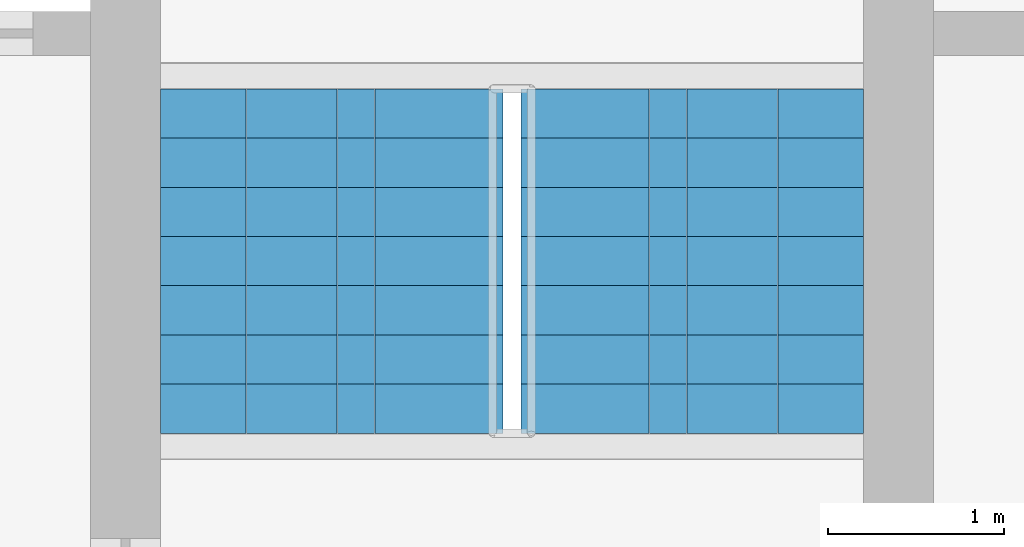
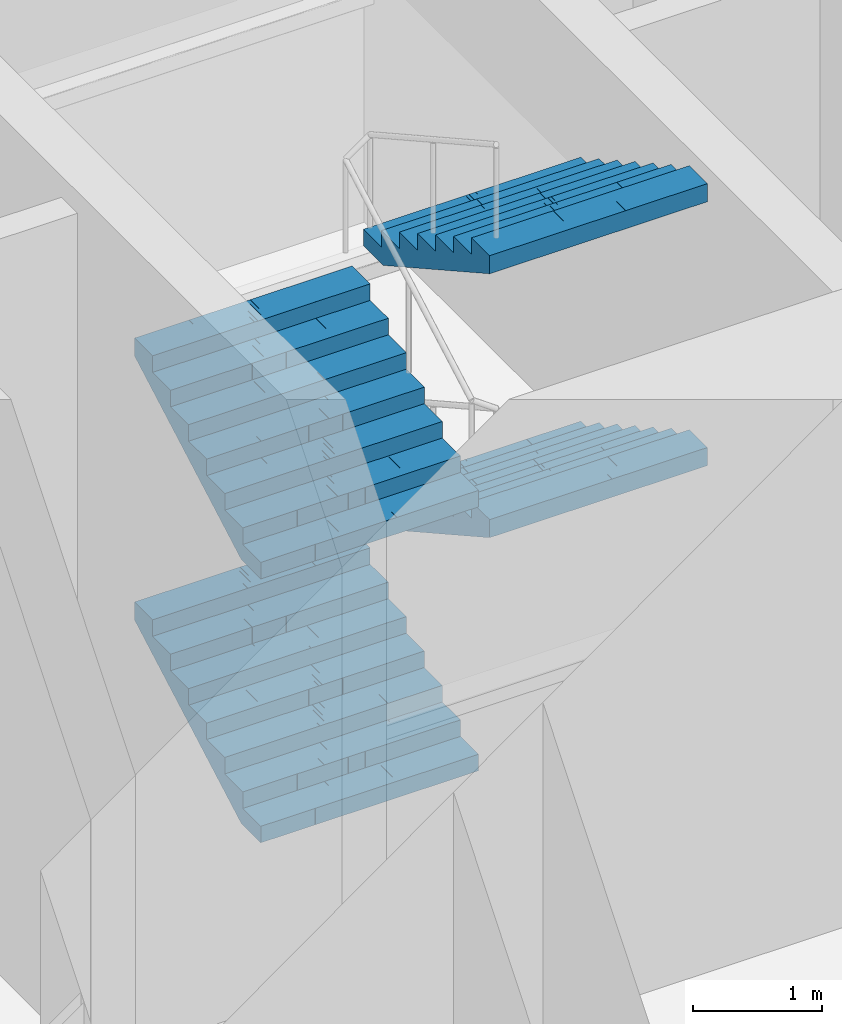
# One storey, part 11 of 20: 4 stair flights, 1 element without a shape of its own.
"""IFC4 building model written with IfcOpenShell, lengths in metres."""

from ifc_helpers import new_model, si_unit, direction, frame, origin, place, context, subcontext, project, spatial, polyline, outline, extrude, material, type_object, element, aggregate, save


model = new_model("IFC4")

# Units and contexts
model_context = context("Model", 3, precision=1e-05, world=origin(), true_north=direction((0.0, 1.0)))
body_context = subcontext(model_context, "Body", "Model", "MODEL_VIEW")
ifc_project = project(units=[si_unit("LENGTHUNIT", "METRE"), si_unit("AREAUNIT", "SQUARE_METRE"), si_unit("VOLUMEUNIT", "CUBIC_METRE"), si_unit("PLANEANGLEUNIT", "RADIAN"), si_unit("MASSUNIT", "GRAM", prefix="KILO")], contexts=[model_context])

# Site, building, storey
site_placement = place(None, origin())
site = spatial("IfcSite", under=ifc_project, at=site_placement, CompositionType="ELEMENT")
building_placement = place(site_placement, origin())
building = spatial("IfcBuilding", under=site, at=building_placement, Name="Mizan Broadcast Tower", CompositionType="ELEMENT")
storey_placement = place(building_placement, frame((0.0, 0.0, -5.0)))
storey = spatial("IfcBuildingStorey", under=building, at=storey_placement, Name="B1", CompositionType="ELEMENT", Elevation=-5.0)

# Stair, stair flights
ifc_material_1 = material(Name="Concrete C40/50", Category="concrete")
stair_type = type_object("IfcStairType", Name="EXIT STAIR", PredefinedType="HALF_TURN_STAIR", material=ifc_material_1)
stair_placement = place(storey_placement, origin())
stair = element("IfcStair", 1, at=stair_placement, inside=storey, type_object=stair_type, Name="Stair A B1", PredefinedType="HALF_TURN_STAIR")
ifc_material_2 = material(Name="Concrete C40/50", Category="concrete")
stair_flight_type = type_object("IfcStairFlightType", Name="EXIT STAIR FLIGHT", PredefinedType="STRAIGHT", material=ifc_material_2)
stair_flight_1_placement = place(storey_placement, frame((-1.02490234375, -7.89990234375, 0.0), z_axis=(0.0, 0.0, 1.0), x_axis=(0.0, 1.0, 0.0)))
stair_flight_1 = element("IfcStairFlight", 2, at=stair_flight_1_placement, type_object=stair_flight_type, Name="A flight 1", NumberOfRisers=8, NumberOfTreads=7, PredefinedType="STRAIGHT", RiserHeight=0.15625, TreadLength=0.28, context=body_context, shape_type="SweptSolid", body=[
    extrude(outline(polyline([(0.0, 0.0), (0.0, 0.15625), (0.280029296875, 0.15625), (0.280029296875, 0.3125), (0.56005859375, 0.3125), (0.56005859375, 0.46875), (0.840087890625, 0.46875), (0.840087890625, 0.625), (1.1201171875, 0.625), (1.1201171875, 0.78125), (1.39990234375, 0.78125), (1.39990234375, 0.9375), (1.679931640625, 0.9375), (1.679931640625, 1.09375), (1.9599609375, 1.09375), (1.9599609375, 1.25), (1.9599609375, 0.922119140625), (0.3076171875, 0.0), (0.0, 0.0)])), frame((0.0, 0.97509765625, 0.0), z_axis=(0.0, -1.0, 0.0), x_axis=(1.0, 0.0, 0.0)), (0.0, 0.0, 1.0), 0.4873046875),
    extrude(outline(polyline([(0.0, 0.0), (0.0, 0.15625), (0.280029296875, 0.15625), (0.280029296875, 0.3125), (0.56005859375, 0.3125), (0.56005859375, 0.46875), (0.840087890625, 0.46875), (0.840087890625, 0.625), (1.1201171875, 0.625), (1.1201171875, 0.78125), (1.39990234375, 0.78125), (1.39990234375, 0.9375), (1.679931640625, 0.9375), (1.679931640625, 1.09375), (1.9599609375, 1.09375), (1.9599609375, 1.25), (1.9599609375, 0.922119140625), (0.3076171875, 0.0), (0.0, 0.0)])), frame((0.0, 0.4873046875, 0.0), z_axis=(0.0, -1.0, 0.0), x_axis=(1.0, 0.0, 0.0)), (0.0, 0.0, 1.0), 0.2431640625),
    extrude(outline(polyline([(0.0, 0.0), (0.0, 0.15625), (0.280029296875, 0.15625), (0.280029296875, 0.3125), (0.56005859375, 0.3125), (0.56005859375, 0.46875), (0.840087890625, 0.46875), (0.840087890625, 0.625), (1.1201171875, 0.625), (1.1201171875, 0.78125), (1.39990234375, 0.78125), (1.39990234375, 0.9375), (1.679931640625, 0.9375), (1.679931640625, 1.09375), (1.9599609375, 1.09375), (1.9599609375, 1.25), (1.9599609375, 0.922119140625), (0.3076171875, 0.0), (0.0, 0.0)])), frame((0.0, 0.24365234375, 0.0), z_axis=(0.0, -1.0, 0.0), x_axis=(1.0, 0.0, 0.0)), (0.0, 0.0, 1.0), 0.121337890625),
    extrude(outline(polyline([(0.0, 0.0), (0.0, 0.15625), (0.280029296875, 0.15625), (0.280029296875, 0.3125), (0.56005859375, 0.3125), (0.56005859375, 0.46875), (0.840087890625, 0.46875), (0.840087890625, 0.625), (1.1201171875, 0.625), (1.1201171875, 0.78125), (1.39990234375, 0.78125), (1.39990234375, 0.9375), (1.679931640625, 0.9375), (1.679931640625, 1.09375), (1.9599609375, 1.09375), (1.9599609375, 1.25), (1.9599609375, 0.922119140625), (0.3076171875, 0.0), (0.0, 0.0)])), frame((0.0, 0.121826171875, 0.0), z_axis=(0.0, -1.0, 0.0), x_axis=(1.0, 0.0, 0.0)), (0.0, 0.0, 1.0), 0.060546875),
    extrude(outline(polyline([(0.0, 0.0), (0.0, 0.15625), (0.280029296875, 0.15625), (0.280029296875, 0.3125), (0.56005859375, 0.3125), (0.56005859375, 0.46875), (0.840087890625, 0.46875), (0.840087890625, 0.625), (1.1201171875, 0.625), (1.1201171875, 0.78125), (1.39990234375, 0.78125), (1.39990234375, 0.9375), (1.679931640625, 0.9375), (1.679931640625, 1.09375), (1.9599609375, 1.09375), (1.9599609375, 1.25), (1.9599609375, 0.922119140625), (0.3076171875, 0.0), (0.0, 0.0)])), frame((0.0, 0.060791015625, 0.0), z_axis=(0.0, -1.0, 0.0), x_axis=(1.0, 0.0, 0.0)), (0.0, 0.0, 1.0), 0.030029296875),
    extrude(outline(polyline([(0.0, 0.0), (0.0, 0.15625), (0.280029296875, 0.15625), (0.280029296875, 0.3125), (0.56005859375, 0.3125), (0.56005859375, 0.46875), (0.840087890625, 0.46875), (0.840087890625, 0.625), (1.1201171875, 0.625), (1.1201171875, 0.78125), (1.39990234375, 0.78125), (1.39990234375, 0.9375), (1.679931640625, 0.9375), (1.679931640625, 1.09375), (1.9599609375, 1.09375), (1.9599609375, 1.25), (1.9599609375, 0.922119140625), (0.3076171875, 0.0), (0.0, 0.0)])), frame((0.0, 0.0302734375, 0.0), z_axis=(0.0, -1.0, 0.0), x_axis=(1.0, 0.0, 0.0)), (0.0, 0.0, 1.0), 0.060302734375),
    extrude(outline(polyline([(0.0, 0.0), (0.0, 0.15625), (0.280029296875, 0.15625), (0.280029296875, 0.3125), (0.56005859375, 0.3125), (0.56005859375, 0.46875), (0.840087890625, 0.46875), (0.840087890625, 0.625), (1.1201171875, 0.625), (1.1201171875, 0.78125), (1.39990234375, 0.78125), (1.39990234375, 0.9375), (1.679931640625, 0.9375), (1.679931640625, 1.09375), (1.9599609375, 1.09375), (1.9599609375, 1.25), (1.9599609375, 0.922119140625), (0.3076171875, 0.0), (0.0, 0.0)])), frame((0.0, -0.030517578125, 0.0), z_axis=(0.0, -1.0, 0.0), x_axis=(1.0, 0.0, 0.0)), (0.0, 0.0, 1.0), 0.030029296875),
    extrude(outline(polyline([(0.0, 0.0), (0.0, 0.15625), (0.280029296875, 0.15625), (0.280029296875, 0.3125), (0.56005859375, 0.3125), (0.56005859375, 0.46875), (0.840087890625, 0.46875), (0.840087890625, 0.625), (1.1201171875, 0.625), (1.1201171875, 0.78125), (1.39990234375, 0.78125), (1.39990234375, 0.9375), (1.679931640625, 0.9375), (1.679931640625, 1.09375), (1.9599609375, 1.09375), (1.9599609375, 1.25), (1.9599609375, 0.922119140625), (0.3076171875, 0.0), (0.0, 0.0)])), frame((0.0, -0.06103515625, 0.0), z_axis=(0.0, -1.0, 0.0), x_axis=(1.0, 0.0, 0.0)), (0.0, 0.0, 1.0), 0.060546875),
    extrude(outline(polyline([(0.0, 0.0), (0.0, 0.15625), (0.280029296875, 0.15625), (0.280029296875, 0.3125), (0.56005859375, 0.3125), (0.56005859375, 0.46875), (0.840087890625, 0.46875), (0.840087890625, 0.625), (1.1201171875, 0.625), (1.1201171875, 0.78125), (1.39990234375, 0.78125), (1.39990234375, 0.9375), (1.679931640625, 0.9375), (1.679931640625, 1.09375), (1.9599609375, 1.09375), (1.9599609375, 1.25), (1.9599609375, 0.922119140625), (0.3076171875, 0.0), (0.0, 0.0)])), frame((0.0, -0.1220703125, 0.0), z_axis=(0.0, -1.0, 0.0), x_axis=(1.0, 0.0, 0.0)), (0.0, 0.0, 1.0), 0.121337890625),
    extrude(outline(polyline([(0.0, 0.0), (0.0, 0.15625), (0.280029296875, 0.15625), (0.280029296875, 0.3125), (0.56005859375, 0.3125), (0.56005859375, 0.46875), (0.840087890625, 0.46875), (0.840087890625, 0.625), (1.1201171875, 0.625), (1.1201171875, 0.78125), (1.39990234375, 0.78125), (1.39990234375, 0.9375), (1.679931640625, 0.9375), (1.679931640625, 1.09375), (1.9599609375, 1.09375), (1.9599609375, 1.25), (1.9599609375, 0.922119140625), (0.3076171875, 0.0), (0.0, 0.0)])), frame((0.0, -0.243896484375, 0.0), z_axis=(0.0, -1.0, 0.0), x_axis=(1.0, 0.0, 0.0)), (0.0, 0.0, 1.0), 0.2431640625),
    extrude(outline(polyline([(0.0, 0.0), (0.0, 0.15625), (0.280029296875, 0.15625), (0.280029296875, 0.3125), (0.56005859375, 0.3125), (0.56005859375, 0.46875), (0.840087890625, 0.46875), (0.840087890625, 0.625), (1.1201171875, 0.625), (1.1201171875, 0.78125), (1.39990234375, 0.78125), (1.39990234375, 0.9375), (1.679931640625, 0.9375), (1.679931640625, 1.09375), (1.9599609375, 1.09375), (1.9599609375, 1.25), (1.9599609375, 0.922119140625), (0.3076171875, 0.0), (0.0, 0.0)])), frame((0.0, -0.487548828125, 0.0), z_axis=(0.0, -1.0, 0.0), x_axis=(1.0, 0.0, 0.0)), (0.0, 0.0, 1.0), 0.4873046875),
])
stair_flight_2_placement = place(storey_placement, frame((1.02490234375, -5.93994140625, 1.25), z_axis=(0.0, 0.0, 1.0), x_axis=(0.0, -1.0, 0.0)))
stair_flight_2 = element("IfcStairFlight", 3, at=stair_flight_2_placement, type_object=stair_flight_type, Name="A flight 2", NumberOfRisers=8, NumberOfTreads=7, PredefinedType="STRAIGHT", RiserHeight=0.15625, TreadLength=0.28, context=body_context, shape_type="SweptSolid", body=[
    extrude(outline(polyline([(0.0, 0.0), (0.0, 0.15625), (0.280029296875, 0.15625), (0.280029296875, 0.3125), (0.56005859375, 0.3125), (0.56005859375, 0.46875), (0.840087890625, 0.46875), (0.840087890625, 0.625), (1.1201171875, 0.625), (1.1201171875, 0.78125), (1.39990234375, 0.78125), (1.39990234375, 0.9375), (1.679931640625, 0.9375), (1.679931640625, 1.09375), (1.9599609375, 1.09375), (1.9599609375, 1.25), (1.9599609375, 0.922119140625), (0.3076171875, 0.0), (0.0, 0.0)])), frame((0.0, 0.97509765625, 0.0), z_axis=(0.0, -1.0, 0.0), x_axis=(1.0, 0.0, 0.0)), (0.0, 0.0, 1.0), 0.4873046875),
    extrude(outline(polyline([(0.0, 0.0), (0.0, 0.15625), (0.280029296875, 0.15625), (0.280029296875, 0.3125), (0.56005859375, 0.3125), (0.56005859375, 0.46875), (0.840087890625, 0.46875), (0.840087890625, 0.625), (1.1201171875, 0.625), (1.1201171875, 0.78125), (1.39990234375, 0.78125), (1.39990234375, 0.9375), (1.679931640625, 0.9375), (1.679931640625, 1.09375), (1.9599609375, 1.09375), (1.9599609375, 1.25), (1.9599609375, 0.922119140625), (0.3076171875, 0.0), (0.0, 0.0)])), frame((0.0, 0.4873046875, 0.0), z_axis=(0.0, -1.0, 0.0), x_axis=(1.0, 0.0, 0.0)), (0.0, 0.0, 1.0), 0.2431640625),
    extrude(outline(polyline([(0.0, 0.0), (0.0, 0.15625), (0.280029296875, 0.15625), (0.280029296875, 0.3125), (0.56005859375, 0.3125), (0.56005859375, 0.46875), (0.840087890625, 0.46875), (0.840087890625, 0.625), (1.1201171875, 0.625), (1.1201171875, 0.78125), (1.39990234375, 0.78125), (1.39990234375, 0.9375), (1.679931640625, 0.9375), (1.679931640625, 1.09375), (1.9599609375, 1.09375), (1.9599609375, 1.25), (1.9599609375, 0.922119140625), (0.3076171875, 0.0), (0.0, 0.0)])), frame((0.0, 0.24365234375, 0.0), z_axis=(0.0, -1.0, 0.0), x_axis=(1.0, 0.0, 0.0)), (0.0, 0.0, 1.0), 0.121337890625),
    extrude(outline(polyline([(0.0, 0.0), (0.0, 0.15625), (0.280029296875, 0.15625), (0.280029296875, 0.3125), (0.56005859375, 0.3125), (0.56005859375, 0.46875), (0.840087890625, 0.46875), (0.840087890625, 0.625), (1.1201171875, 0.625), (1.1201171875, 0.78125), (1.39990234375, 0.78125), (1.39990234375, 0.9375), (1.679931640625, 0.9375), (1.679931640625, 1.09375), (1.9599609375, 1.09375), (1.9599609375, 1.25), (1.9599609375, 0.922119140625), (0.3076171875, 0.0), (0.0, 0.0)])), frame((0.0, 0.121826171875, 0.0), z_axis=(0.0, -1.0, 0.0), x_axis=(1.0, 0.0, 0.0)), (0.0, 0.0, 1.0), 0.060546875),
    extrude(outline(polyline([(0.0, 0.0), (0.0, 0.15625), (0.280029296875, 0.15625), (0.280029296875, 0.3125), (0.56005859375, 0.3125), (0.56005859375, 0.46875), (0.840087890625, 0.46875), (0.840087890625, 0.625), (1.1201171875, 0.625), (1.1201171875, 0.78125), (1.39990234375, 0.78125), (1.39990234375, 0.9375), (1.679931640625, 0.9375), (1.679931640625, 1.09375), (1.9599609375, 1.09375), (1.9599609375, 1.25), (1.9599609375, 0.922119140625), (0.3076171875, 0.0), (0.0, 0.0)])), frame((0.0, 0.060791015625, 0.0), z_axis=(0.0, -1.0, 0.0), x_axis=(1.0, 0.0, 0.0)), (0.0, 0.0, 1.0), 0.030029296875),
    extrude(outline(polyline([(0.0, 0.0), (0.0, 0.15625), (0.280029296875, 0.15625), (0.280029296875, 0.3125), (0.56005859375, 0.3125), (0.56005859375, 0.46875), (0.840087890625, 0.46875), (0.840087890625, 0.625), (1.1201171875, 0.625), (1.1201171875, 0.78125), (1.39990234375, 0.78125), (1.39990234375, 0.9375), (1.679931640625, 0.9375), (1.679931640625, 1.09375), (1.9599609375, 1.09375), (1.9599609375, 1.25), (1.9599609375, 0.922119140625), (0.3076171875, 0.0), (0.0, 0.0)])), frame((0.0, 0.0302734375, 0.0), z_axis=(0.0, -1.0, 0.0), x_axis=(1.0, 0.0, 0.0)), (0.0, 0.0, 1.0), 0.060302734375),
    extrude(outline(polyline([(0.0, 0.0), (0.0, 0.15625), (0.280029296875, 0.15625), (0.280029296875, 0.3125), (0.56005859375, 0.3125), (0.56005859375, 0.46875), (0.840087890625, 0.46875), (0.840087890625, 0.625), (1.1201171875, 0.625), (1.1201171875, 0.78125), (1.39990234375, 0.78125), (1.39990234375, 0.9375), (1.679931640625, 0.9375), (1.679931640625, 1.09375), (1.9599609375, 1.09375), (1.9599609375, 1.25), (1.9599609375, 0.922119140625), (0.3076171875, 0.0), (0.0, 0.0)])), frame((0.0, -0.030517578125, 0.0), z_axis=(0.0, -1.0, 0.0), x_axis=(1.0, 0.0, 0.0)), (0.0, 0.0, 1.0), 0.030029296875),
    extrude(outline(polyline([(0.0, 0.0), (0.0, 0.15625), (0.280029296875, 0.15625), (0.280029296875, 0.3125), (0.56005859375, 0.3125), (0.56005859375, 0.46875), (0.840087890625, 0.46875), (0.840087890625, 0.625), (1.1201171875, 0.625), (1.1201171875, 0.78125), (1.39990234375, 0.78125), (1.39990234375, 0.9375), (1.679931640625, 0.9375), (1.679931640625, 1.09375), (1.9599609375, 1.09375), (1.9599609375, 1.25), (1.9599609375, 0.922119140625), (0.3076171875, 0.0), (0.0, 0.0)])), frame((0.0, -0.06103515625, 0.0), z_axis=(0.0, -1.0, 0.0), x_axis=(1.0, 0.0, 0.0)), (0.0, 0.0, 1.0), 0.060546875),
    extrude(outline(polyline([(0.0, 0.0), (0.0, 0.15625), (0.280029296875, 0.15625), (0.280029296875, 0.3125), (0.56005859375, 0.3125), (0.56005859375, 0.46875), (0.840087890625, 0.46875), (0.840087890625, 0.625), (1.1201171875, 0.625), (1.1201171875, 0.78125), (1.39990234375, 0.78125), (1.39990234375, 0.9375), (1.679931640625, 0.9375), (1.679931640625, 1.09375), (1.9599609375, 1.09375), (1.9599609375, 1.25), (1.9599609375, 0.922119140625), (0.3076171875, 0.0), (0.0, 0.0)])), frame((0.0, -0.1220703125, 0.0), z_axis=(0.0, -1.0, 0.0), x_axis=(1.0, 0.0, 0.0)), (0.0, 0.0, 1.0), 0.121337890625),
    extrude(outline(polyline([(0.0, 0.0), (0.0, 0.15625), (0.280029296875, 0.15625), (0.280029296875, 0.3125), (0.56005859375, 0.3125), (0.56005859375, 0.46875), (0.840087890625, 0.46875), (0.840087890625, 0.625), (1.1201171875, 0.625), (1.1201171875, 0.78125), (1.39990234375, 0.78125), (1.39990234375, 0.9375), (1.679931640625, 0.9375), (1.679931640625, 1.09375), (1.9599609375, 1.09375), (1.9599609375, 1.25), (1.9599609375, 0.922119140625), (0.3076171875, 0.0), (0.0, 0.0)])), frame((0.0, -0.243896484375, 0.0), z_axis=(0.0, -1.0, 0.0), x_axis=(1.0, 0.0, 0.0)), (0.0, 0.0, 1.0), 0.2431640625),
    extrude(outline(polyline([(0.0, 0.0), (0.0, 0.15625), (0.280029296875, 0.15625), (0.280029296875, 0.3125), (0.56005859375, 0.3125), (0.56005859375, 0.46875), (0.840087890625, 0.46875), (0.840087890625, 0.625), (1.1201171875, 0.625), (1.1201171875, 0.78125), (1.39990234375, 0.78125), (1.39990234375, 0.9375), (1.679931640625, 0.9375), (1.679931640625, 1.09375), (1.9599609375, 1.09375), (1.9599609375, 1.25), (1.9599609375, 0.922119140625), (0.3076171875, 0.0), (0.0, 0.0)])), frame((0.0, -0.487548828125, 0.0), z_axis=(0.0, -1.0, 0.0), x_axis=(1.0, 0.0, 0.0)), (0.0, 0.0, 1.0), 0.4873046875),
])
stair_flight_3_placement = place(storey_placement, frame((-1.02490234375, -7.89990234375, 2.5), z_axis=(0.0, 0.0, 1.0), x_axis=(0.0, 1.0, 0.0)))
stair_flight_3 = element("IfcStairFlight", 4, at=stair_flight_3_placement, type_object=stair_flight_type, Name="A flight 3", NumberOfRisers=8, NumberOfTreads=7, PredefinedType="STRAIGHT", RiserHeight=0.15625, TreadLength=0.28, context=body_context, shape_type="SweptSolid", body=[
    extrude(outline(polyline([(0.0, 0.0), (0.0, 0.15625), (0.280029296875, 0.15625), (0.280029296875, 0.3125), (0.56005859375, 0.3125), (0.56005859375, 0.46875), (0.840087890625, 0.46875), (0.840087890625, 0.625), (1.1201171875, 0.625), (1.1201171875, 0.78125), (1.39990234375, 0.78125), (1.39990234375, 0.9375), (1.679931640625, 0.9375), (1.679931640625, 1.09375), (1.9599609375, 1.09375), (1.9599609375, 1.25), (1.9599609375, 0.922119140625), (0.3076171875, 0.0), (0.0, 0.0)])), frame((0.0, 0.97509765625, 0.0), z_axis=(0.0, -1.0, 0.0), x_axis=(1.0, 0.0, 0.0)), (0.0, 0.0, 1.0), 0.4873046875),
    extrude(outline(polyline([(0.0, 0.0), (0.0, 0.15625), (0.280029296875, 0.15625), (0.280029296875, 0.3125), (0.56005859375, 0.3125), (0.56005859375, 0.46875), (0.840087890625, 0.46875), (0.840087890625, 0.625), (1.1201171875, 0.625), (1.1201171875, 0.78125), (1.39990234375, 0.78125), (1.39990234375, 0.9375), (1.679931640625, 0.9375), (1.679931640625, 1.09375), (1.9599609375, 1.09375), (1.9599609375, 1.25), (1.9599609375, 0.922119140625), (0.3076171875, 0.0), (0.0, 0.0)])), frame((0.0, 0.4873046875, 0.0), z_axis=(0.0, -1.0, 0.0), x_axis=(1.0, 0.0, 0.0)), (0.0, 0.0, 1.0), 0.2431640625),
    extrude(outline(polyline([(0.0, 0.0), (0.0, 0.15625), (0.280029296875, 0.15625), (0.280029296875, 0.3125), (0.56005859375, 0.3125), (0.56005859375, 0.46875), (0.840087890625, 0.46875), (0.840087890625, 0.625), (1.1201171875, 0.625), (1.1201171875, 0.78125), (1.39990234375, 0.78125), (1.39990234375, 0.9375), (1.679931640625, 0.9375), (1.679931640625, 1.09375), (1.9599609375, 1.09375), (1.9599609375, 1.25), (1.9599609375, 0.922119140625), (0.3076171875, 0.0), (0.0, 0.0)])), frame((0.0, 0.24365234375, 0.0), z_axis=(0.0, -1.0, 0.0), x_axis=(1.0, 0.0, 0.0)), (0.0, 0.0, 1.0), 0.121337890625),
    extrude(outline(polyline([(0.0, 0.0), (0.0, 0.15625), (0.280029296875, 0.15625), (0.280029296875, 0.3125), (0.56005859375, 0.3125), (0.56005859375, 0.46875), (0.840087890625, 0.46875), (0.840087890625, 0.625), (1.1201171875, 0.625), (1.1201171875, 0.78125), (1.39990234375, 0.78125), (1.39990234375, 0.9375), (1.679931640625, 0.9375), (1.679931640625, 1.09375), (1.9599609375, 1.09375), (1.9599609375, 1.25), (1.9599609375, 0.922119140625), (0.3076171875, 0.0), (0.0, 0.0)])), frame((0.0, 0.121826171875, 0.0), z_axis=(0.0, -1.0, 0.0), x_axis=(1.0, 0.0, 0.0)), (0.0, 0.0, 1.0), 0.060546875),
    extrude(outline(polyline([(0.0, 0.0), (0.0, 0.15625), (0.280029296875, 0.15625), (0.280029296875, 0.3125), (0.56005859375, 0.3125), (0.56005859375, 0.46875), (0.840087890625, 0.46875), (0.840087890625, 0.625), (1.1201171875, 0.625), (1.1201171875, 0.78125), (1.39990234375, 0.78125), (1.39990234375, 0.9375), (1.679931640625, 0.9375), (1.679931640625, 1.09375), (1.9599609375, 1.09375), (1.9599609375, 1.25), (1.9599609375, 0.922119140625), (0.3076171875, 0.0), (0.0, 0.0)])), frame((0.0, 0.060791015625, 0.0), z_axis=(0.0, -1.0, 0.0), x_axis=(1.0, 0.0, 0.0)), (0.0, 0.0, 1.0), 0.030029296875),
    extrude(outline(polyline([(0.0, 0.0), (0.0, 0.15625), (0.280029296875, 0.15625), (0.280029296875, 0.3125), (0.56005859375, 0.3125), (0.56005859375, 0.46875), (0.840087890625, 0.46875), (0.840087890625, 0.625), (1.1201171875, 0.625), (1.1201171875, 0.78125), (1.39990234375, 0.78125), (1.39990234375, 0.9375), (1.679931640625, 0.9375), (1.679931640625, 1.09375), (1.9599609375, 1.09375), (1.9599609375, 1.25), (1.9599609375, 0.922119140625), (0.3076171875, 0.0), (0.0, 0.0)])), frame((0.0, 0.0302734375, 0.0), z_axis=(0.0, -1.0, 0.0), x_axis=(1.0, 0.0, 0.0)), (0.0, 0.0, 1.0), 0.060302734375),
    extrude(outline(polyline([(0.0, 0.0), (0.0, 0.15625), (0.280029296875, 0.15625), (0.280029296875, 0.3125), (0.56005859375, 0.3125), (0.56005859375, 0.46875), (0.840087890625, 0.46875), (0.840087890625, 0.625), (1.1201171875, 0.625), (1.1201171875, 0.78125), (1.39990234375, 0.78125), (1.39990234375, 0.9375), (1.679931640625, 0.9375), (1.679931640625, 1.09375), (1.9599609375, 1.09375), (1.9599609375, 1.25), (1.9599609375, 0.922119140625), (0.3076171875, 0.0), (0.0, 0.0)])), frame((0.0, -0.030517578125, 0.0), z_axis=(0.0, -1.0, 0.0), x_axis=(1.0, 0.0, 0.0)), (0.0, 0.0, 1.0), 0.030029296875),
    extrude(outline(polyline([(0.0, 0.0), (0.0, 0.15625), (0.280029296875, 0.15625), (0.280029296875, 0.3125), (0.56005859375, 0.3125), (0.56005859375, 0.46875), (0.840087890625, 0.46875), (0.840087890625, 0.625), (1.1201171875, 0.625), (1.1201171875, 0.78125), (1.39990234375, 0.78125), (1.39990234375, 0.9375), (1.679931640625, 0.9375), (1.679931640625, 1.09375), (1.9599609375, 1.09375), (1.9599609375, 1.25), (1.9599609375, 0.922119140625), (0.3076171875, 0.0), (0.0, 0.0)])), frame((0.0, -0.06103515625, 0.0), z_axis=(0.0, -1.0, 0.0), x_axis=(1.0, 0.0, 0.0)), (0.0, 0.0, 1.0), 0.060546875),
    extrude(outline(polyline([(0.0, 0.0), (0.0, 0.15625), (0.280029296875, 0.15625), (0.280029296875, 0.3125), (0.56005859375, 0.3125), (0.56005859375, 0.46875), (0.840087890625, 0.46875), (0.840087890625, 0.625), (1.1201171875, 0.625), (1.1201171875, 0.78125), (1.39990234375, 0.78125), (1.39990234375, 0.9375), (1.679931640625, 0.9375), (1.679931640625, 1.09375), (1.9599609375, 1.09375), (1.9599609375, 1.25), (1.9599609375, 0.922119140625), (0.3076171875, 0.0), (0.0, 0.0)])), frame((0.0, -0.1220703125, 0.0), z_axis=(0.0, -1.0, 0.0), x_axis=(1.0, 0.0, 0.0)), (0.0, 0.0, 1.0), 0.121337890625),
    extrude(outline(polyline([(0.0, 0.0), (0.0, 0.15625), (0.280029296875, 0.15625), (0.280029296875, 0.3125), (0.56005859375, 0.3125), (0.56005859375, 0.46875), (0.840087890625, 0.46875), (0.840087890625, 0.625), (1.1201171875, 0.625), (1.1201171875, 0.78125), (1.39990234375, 0.78125), (1.39990234375, 0.9375), (1.679931640625, 0.9375), (1.679931640625, 1.09375), (1.9599609375, 1.09375), (1.9599609375, 1.25), (1.9599609375, 0.922119140625), (0.3076171875, 0.0), (0.0, 0.0)])), frame((0.0, -0.243896484375, 0.0), z_axis=(0.0, -1.0, 0.0), x_axis=(1.0, 0.0, 0.0)), (0.0, 0.0, 1.0), 0.2431640625),
    extrude(outline(polyline([(0.0, 0.0), (0.0, 0.15625), (0.280029296875, 0.15625), (0.280029296875, 0.3125), (0.56005859375, 0.3125), (0.56005859375, 0.46875), (0.840087890625, 0.46875), (0.840087890625, 0.625), (1.1201171875, 0.625), (1.1201171875, 0.78125), (1.39990234375, 0.78125), (1.39990234375, 0.9375), (1.679931640625, 0.9375), (1.679931640625, 1.09375), (1.9599609375, 1.09375), (1.9599609375, 1.25), (1.9599609375, 0.922119140625), (0.3076171875, 0.0), (0.0, 0.0)])), frame((0.0, -0.487548828125, 0.0), z_axis=(0.0, -1.0, 0.0), x_axis=(1.0, 0.0, 0.0)), (0.0, 0.0, 1.0), 0.4873046875),
])
stair_flight_4_placement = place(storey_placement, frame((1.02490234375, -5.93994140625, 3.75), z_axis=(0.0, 0.0, 1.0), x_axis=(0.0, -1.0, 0.0)))
stair_flight_4 = element("IfcStairFlight", 5, at=stair_flight_4_placement, type_object=stair_flight_type, Name="A flight 4", NumberOfRisers=8, NumberOfTreads=7, PredefinedType="STRAIGHT", RiserHeight=0.15625, TreadLength=0.28, context=body_context, shape_type="SweptSolid", body=[
    extrude(outline(polyline([(0.0, 0.0), (0.0, 0.15625), (0.280029296875, 0.15625), (0.280029296875, 0.3125), (0.56005859375, 0.3125), (0.56005859375, 0.46875), (0.840087890625, 0.46875), (0.840087890625, 0.625), (1.1201171875, 0.625), (1.1201171875, 0.78125), (1.39990234375, 0.78125), (1.39990234375, 0.9375), (1.679931640625, 0.9375), (1.679931640625, 1.09375), (1.9599609375, 1.09375), (1.9599609375, 1.25), (1.9599609375, 0.922119140625), (0.3076171875, 0.0), (0.0, 0.0)])), frame((0.0, 0.97509765625, 0.0), z_axis=(0.0, -1.0, 0.0), x_axis=(1.0, 0.0, 0.0)), (0.0, 0.0, 1.0), 0.4873046875),
    extrude(outline(polyline([(0.0, 0.0), (0.0, 0.15625), (0.280029296875, 0.15625), (0.280029296875, 0.3125), (0.56005859375, 0.3125), (0.56005859375, 0.46875), (0.840087890625, 0.46875), (0.840087890625, 0.625), (1.1201171875, 0.625), (1.1201171875, 0.78125), (1.39990234375, 0.78125), (1.39990234375, 0.9375), (1.679931640625, 0.9375), (1.679931640625, 1.09375), (1.9599609375, 1.09375), (1.9599609375, 1.25), (1.9599609375, 0.922119140625), (0.3076171875, 0.0), (0.0, 0.0)])), frame((0.0, 0.4873046875, 0.0), z_axis=(0.0, -1.0, 0.0), x_axis=(1.0, 0.0, 0.0)), (0.0, 0.0, 1.0), 0.2431640625),
    extrude(outline(polyline([(0.0, 0.0), (0.0, 0.15625), (0.280029296875, 0.15625), (0.280029296875, 0.3125), (0.56005859375, 0.3125), (0.56005859375, 0.46875), (0.840087890625, 0.46875), (0.840087890625, 0.625), (1.1201171875, 0.625), (1.1201171875, 0.78125), (1.39990234375, 0.78125), (1.39990234375, 0.9375), (1.679931640625, 0.9375), (1.679931640625, 1.09375), (1.9599609375, 1.09375), (1.9599609375, 1.25), (1.9599609375, 0.922119140625), (0.3076171875, 0.0), (0.0, 0.0)])), frame((0.0, 0.24365234375, 0.0), z_axis=(0.0, -1.0, 0.0), x_axis=(1.0, 0.0, 0.0)), (0.0, 0.0, 1.0), 0.121337890625),
    extrude(outline(polyline([(0.0, 0.0), (0.0, 0.15625), (0.280029296875, 0.15625), (0.280029296875, 0.3125), (0.56005859375, 0.3125), (0.56005859375, 0.46875), (0.840087890625, 0.46875), (0.840087890625, 0.625), (1.1201171875, 0.625), (1.1201171875, 0.78125), (1.39990234375, 0.78125), (1.39990234375, 0.9375), (1.679931640625, 0.9375), (1.679931640625, 1.09375), (1.9599609375, 1.09375), (1.9599609375, 1.25), (1.9599609375, 0.922119140625), (0.3076171875, 0.0), (0.0, 0.0)])), frame((0.0, 0.121826171875, 0.0), z_axis=(0.0, -1.0, 0.0), x_axis=(1.0, 0.0, 0.0)), (0.0, 0.0, 1.0), 0.060546875),
    extrude(outline(polyline([(0.0, 0.0), (0.0, 0.15625), (0.280029296875, 0.15625), (0.280029296875, 0.3125), (0.56005859375, 0.3125), (0.56005859375, 0.46875), (0.840087890625, 0.46875), (0.840087890625, 0.625), (1.1201171875, 0.625), (1.1201171875, 0.78125), (1.39990234375, 0.78125), (1.39990234375, 0.9375), (1.679931640625, 0.9375), (1.679931640625, 1.09375), (1.9599609375, 1.09375), (1.9599609375, 1.25), (1.9599609375, 0.922119140625), (0.3076171875, 0.0), (0.0, 0.0)])), frame((0.0, 0.060791015625, 0.0), z_axis=(0.0, -1.0, 0.0), x_axis=(1.0, 0.0, 0.0)), (0.0, 0.0, 1.0), 0.030029296875),
    extrude(outline(polyline([(0.0, 0.0), (0.0, 0.15625), (0.280029296875, 0.15625), (0.280029296875, 0.3125), (0.56005859375, 0.3125), (0.56005859375, 0.46875), (0.840087890625, 0.46875), (0.840087890625, 0.625), (1.1201171875, 0.625), (1.1201171875, 0.78125), (1.39990234375, 0.78125), (1.39990234375, 0.9375), (1.679931640625, 0.9375), (1.679931640625, 1.09375), (1.9599609375, 1.09375), (1.9599609375, 1.25), (1.9599609375, 0.922119140625), (0.3076171875, 0.0), (0.0, 0.0)])), frame((0.0, 0.0302734375, 0.0), z_axis=(0.0, -1.0, 0.0), x_axis=(1.0, 0.0, 0.0)), (0.0, 0.0, 1.0), 0.060302734375),
    extrude(outline(polyline([(0.0, 0.0), (0.0, 0.15625), (0.280029296875, 0.15625), (0.280029296875, 0.3125), (0.56005859375, 0.3125), (0.56005859375, 0.46875), (0.840087890625, 0.46875), (0.840087890625, 0.625), (1.1201171875, 0.625), (1.1201171875, 0.78125), (1.39990234375, 0.78125), (1.39990234375, 0.9375), (1.679931640625, 0.9375), (1.679931640625, 1.09375), (1.9599609375, 1.09375), (1.9599609375, 1.25), (1.9599609375, 0.922119140625), (0.3076171875, 0.0), (0.0, 0.0)])), frame((0.0, -0.030517578125, 0.0), z_axis=(0.0, -1.0, 0.0), x_axis=(1.0, 0.0, 0.0)), (0.0, 0.0, 1.0), 0.030029296875),
    extrude(outline(polyline([(0.0, 0.0), (0.0, 0.15625), (0.280029296875, 0.15625), (0.280029296875, 0.3125), (0.56005859375, 0.3125), (0.56005859375, 0.46875), (0.840087890625, 0.46875), (0.840087890625, 0.625), (1.1201171875, 0.625), (1.1201171875, 0.78125), (1.39990234375, 0.78125), (1.39990234375, 0.9375), (1.679931640625, 0.9375), (1.679931640625, 1.09375), (1.9599609375, 1.09375), (1.9599609375, 1.25), (1.9599609375, 0.922119140625), (0.3076171875, 0.0), (0.0, 0.0)])), frame((0.0, -0.06103515625, 0.0), z_axis=(0.0, -1.0, 0.0), x_axis=(1.0, 0.0, 0.0)), (0.0, 0.0, 1.0), 0.060546875),
    extrude(outline(polyline([(0.0, 0.0), (0.0, 0.15625), (0.280029296875, 0.15625), (0.280029296875, 0.3125), (0.56005859375, 0.3125), (0.56005859375, 0.46875), (0.840087890625, 0.46875), (0.840087890625, 0.625), (1.1201171875, 0.625), (1.1201171875, 0.78125), (1.39990234375, 0.78125), (1.39990234375, 0.9375), (1.679931640625, 0.9375), (1.679931640625, 1.09375), (1.9599609375, 1.09375), (1.9599609375, 1.25), (1.9599609375, 0.922119140625), (0.3076171875, 0.0), (0.0, 0.0)])), frame((0.0, -0.1220703125, 0.0), z_axis=(0.0, -1.0, 0.0), x_axis=(1.0, 0.0, 0.0)), (0.0, 0.0, 1.0), 0.121337890625),
    extrude(outline(polyline([(0.0, 0.0), (0.0, 0.15625), (0.280029296875, 0.15625), (0.280029296875, 0.3125), (0.56005859375, 0.3125), (0.56005859375, 0.46875), (0.840087890625, 0.46875), (0.840087890625, 0.625), (1.1201171875, 0.625), (1.1201171875, 0.78125), (1.39990234375, 0.78125), (1.39990234375, 0.9375), (1.679931640625, 0.9375), (1.679931640625, 1.09375), (1.9599609375, 1.09375), (1.9599609375, 1.25), (1.9599609375, 0.922119140625), (0.3076171875, 0.0), (0.0, 0.0)])), frame((0.0, -0.243896484375, 0.0), z_axis=(0.0, -1.0, 0.0), x_axis=(1.0, 0.0, 0.0)), (0.0, 0.0, 1.0), 0.2431640625),
    extrude(outline(polyline([(0.0, 0.0), (0.0, 0.15625), (0.280029296875, 0.15625), (0.280029296875, 0.3125), (0.56005859375, 0.3125), (0.56005859375, 0.46875), (0.840087890625, 0.46875), (0.840087890625, 0.625), (1.1201171875, 0.625), (1.1201171875, 0.78125), (1.39990234375, 0.78125), (1.39990234375, 0.9375), (1.679931640625, 0.9375), (1.679931640625, 1.09375), (1.9599609375, 1.09375), (1.9599609375, 1.25), (1.9599609375, 0.922119140625), (0.3076171875, 0.0), (0.0, 0.0)])), frame((0.0, -0.487548828125, 0.0), z_axis=(0.0, -1.0, 0.0), x_axis=(1.0, 0.0, 0.0)), (0.0, 0.0, 1.0), 0.4873046875),
])
aggregate(stair, [stair_flight_1, stair_flight_2, stair_flight_3, stair_flight_4])

save(model, "model.ifc")
